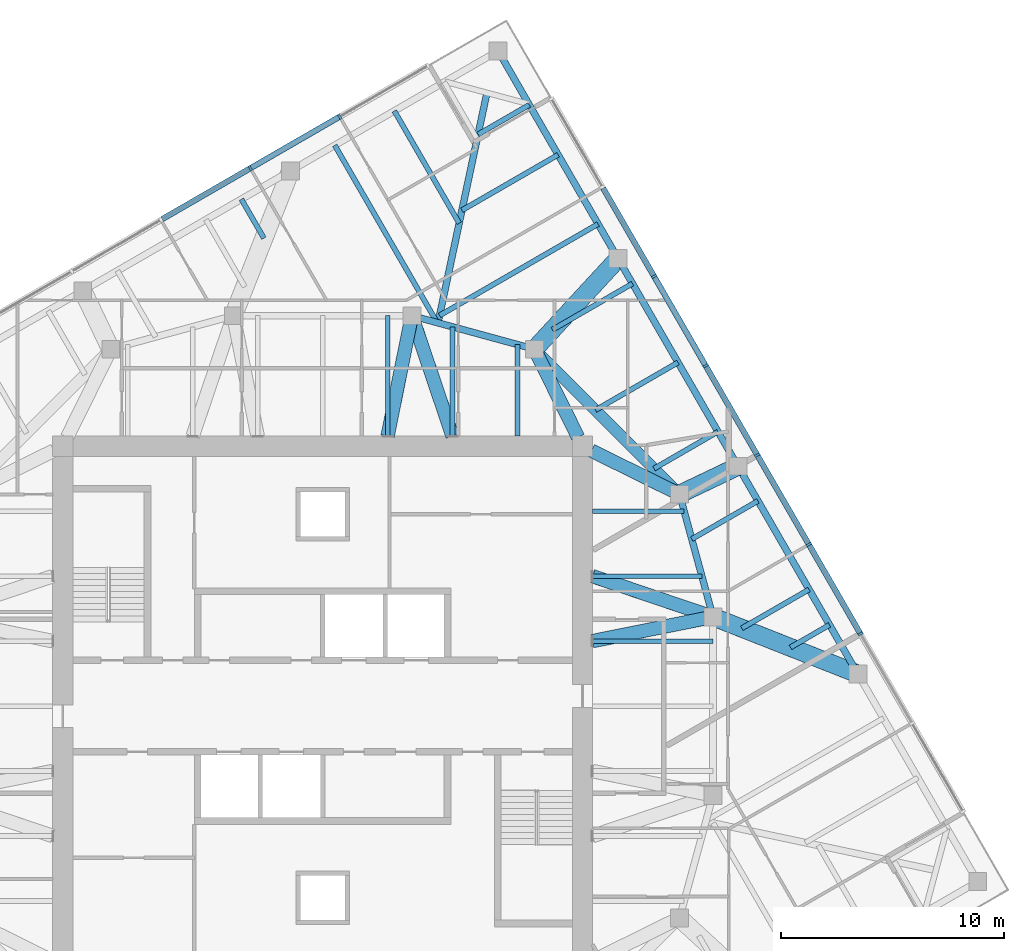
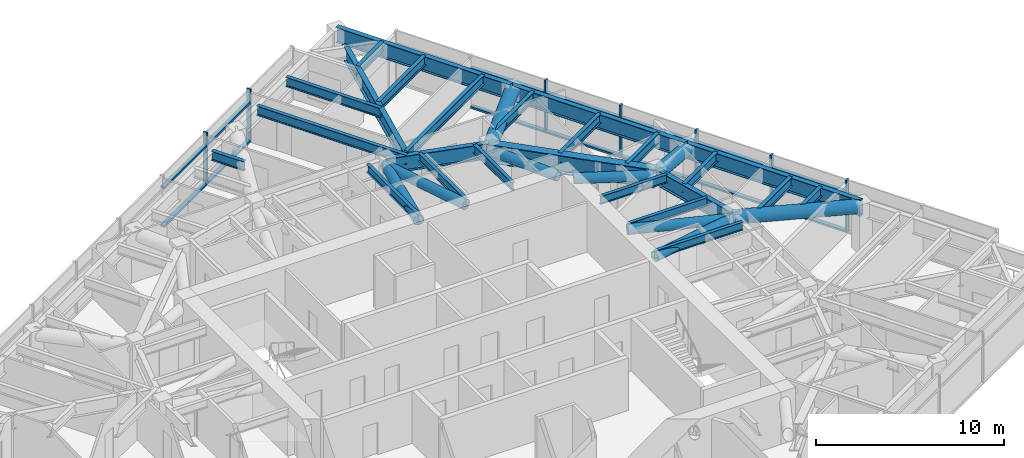
# One storey, part 6 of 16: 30 members, 25 beams, 2 elements without a shape of their own.
"""IFC4 building model written with IfcOpenShell, lengths in metres."""

from ifc_helpers import new_model, si_unit, direction, frame, origin, origin_2d, place, context, subcontext, project, spatial, rectangle, hollow_circle, i_section, extrude, material, material_profile, profile_set, type_object, element, aggregate, save


model = new_model("IFC4")

# Units and contexts
model_context = context("Model", 3, precision=1e-05, world=origin(), true_north=direction((0.0, 1.0)))
body_context = subcontext(model_context, "Body", "Model", "MODEL_VIEW")
ifc_project = project(units=[si_unit("LENGTHUNIT", "METRE"), si_unit("AREAUNIT", "SQUARE_METRE"), si_unit("VOLUMEUNIT", "CUBIC_METRE"), si_unit("PLANEANGLEUNIT", "RADIAN"), si_unit("MASSUNIT", "GRAM", prefix="KILO")], contexts=[model_context])

# Site, building, storey
site_placement = place(None, origin())
site = spatial("IfcSite", under=ifc_project, at=site_placement, CompositionType="ELEMENT")
building_placement = place(site_placement, origin())
building = spatial("IfcBuilding", under=site, at=building_placement, Name="Torsade Residences", CompositionType="ELEMENT")
storey_placement = place(building_placement, frame((0.0, 0.0, 232.0)))
storey = spatial("IfcBuildingStorey", under=building, at=storey_placement, Name="L64", CompositionType="ELEMENT", Elevation=232.0)

# Beam
ifc_material_1 = material(Name="Steel grade 300", Category="steel")
ifc_material_profile_1 = material_profile(ifc_material_1, i_section(OverallWidth=0.300048828125, OverallDepth=0.89990234375, WebThickness=0.011962890625, FlangeThickness=0.02490234375, at=origin_2d()), Name="900WB175")
ifc_profile_set_1 = profile_set([ifc_material_profile_1], Name="Steel grade 300")
beam_type_1 = type_object("IfcBeamType", Name="CORNER GIRDER 900WB175", PredefinedType="BEAM", material=ifc_profile_set_1)
beam_1_placement = place(storey_placement, frame((47.3662109375, 57.4912109375, 2.75), z_axis=(-0.20806427425, -0.978115155685, 0.0), x_axis=(0.978115155685, -0.20806427425, 0.0)))
element("IfcBeam", 1, at=beam_1_placement, inside=storey, type_object=beam_type_1, Name="Corner girder 09 L65", PredefinedType="BEAM", context=body_context, shape_type="SweptSolid", body=[
    extrude(i_section(OverallWidth=0.300048828125, OverallDepth=0.89990234375, WebThickness=0.011962890625, FlangeThickness=0.02490234375, at=origin_2d()), origin(), (0.0, 0.0, 1.0), 10.541748046875),
])

# Curtain wall, members
ifc_material_2 = material(Name="Aluminium and glass", Category="aluminium")
curtain_wall_type = type_object("IfcCurtainWallType", Name="FRITTED GLASS CURTAIN WALL HIGH ZONE", PredefinedType="NOTDEFINED", material=ifc_material_2)
curtain_wall_1_placement = place(storey_placement, origin())
curtain_wall_1 = element("IfcCurtainWall", 2, at=curtain_wall_1_placement, inside=storey, type_object=curtain_wall_type, Name="Curtain wall L64 face 4", PredefinedType="NOTDEFINED")
ifc_material_3 = material(Name="Aluminium mullion", Category="aluminium")
ifc_material_profile_2 = material_profile(ifc_material_3, rectangle(XDim=0.25, YDim=0.10009765625, at=origin_2d()), Name="HIGH ZONE CURTAIN WALL MULLION 250x100")
ifc_profile_set_2 = profile_set([ifc_material_profile_2], Name="Aluminium mullion")
member_type_1 = type_object("IfcMemberType", Name="HIGH ZONE CURTAIN WALL MULLION 250x100", PredefinedType="MULLION", material=ifc_profile_set_2)
member_1_placement = place(storey_placement, frame((64.110595703125, 33.2392578125, 0.0), z_axis=(0.0, 0.0, 1.0), x_axis=(-0.866025404186, -0.499999999305, 0.0)))
member_1 = element("IfcMember", 3, at=member_1_placement, type_object=member_type_1, Name="Mullion 3", PredefinedType="MULLION", context=body_context, shape_type="SweptSolid", body=[
    extrude(rectangle(XDim=0.25, YDim=0.10009765625, at=origin_2d()), origin(), (0.0, 0.0, 1.0), 3.39990234375),
])
member_2_placement = place(storey_placement, frame((61.798095703125, 37.24462890625, 0.0), z_axis=(0.0, 0.0, 1.0), x_axis=(-0.866025404186, -0.499999999305, 0.0)))
member_2 = element("IfcMember", 4, at=member_2_placement, type_object=member_type_1, Name="Mullion 4", PredefinedType="MULLION", context=body_context, shape_type="SweptSolid", body=[
    extrude(rectangle(XDim=0.25, YDim=0.10009765625, at=origin_2d()), origin(), (0.0, 0.0, 1.0), 3.39990234375),
])
member_3_placement = place(storey_placement, frame((59.485595703125, 41.25, 0.0), z_axis=(0.0, 0.0, 1.0), x_axis=(-0.866025404186, -0.499999999305, 0.0)))
member_3 = element("IfcMember", 5, at=member_3_placement, type_object=member_type_1, Name="Mullion 5", PredefinedType="MULLION", context=body_context, shape_type="SweptSolid", body=[
    extrude(rectangle(XDim=0.25, YDim=0.10009765625, at=origin_2d()), origin(), (0.0, 0.0, 1.0), 3.39990234375),
])
member_4_placement = place(storey_placement, frame((57.173095703125, 45.25537109375, 0.0), z_axis=(0.0, 0.0, 1.0), x_axis=(-0.866025404186, -0.499999999305, 0.0)))
member_4 = element("IfcMember", 6, at=member_4_placement, type_object=member_type_1, Name="Mullion 6", PredefinedType="MULLION", context=body_context, shape_type="SweptSolid", body=[
    extrude(rectangle(XDim=0.25, YDim=0.10009765625, at=origin_2d()), origin(), (0.0, 0.0, 1.0), 3.39990234375),
])
member_5_placement = place(storey_placement, frame((54.860595703125, 49.2607421875, 0.0), z_axis=(0.0, 0.0, 1.0), x_axis=(-0.866025404186, -0.499999999305, 0.0)))
member_5 = element("IfcMember", 7, at=member_5_placement, type_object=member_type_1, Name="Mullion 7", PredefinedType="MULLION", context=body_context, shape_type="SweptSolid", body=[
    extrude(rectangle(XDim=0.25, YDim=0.10009765625, at=origin_2d()), origin(), (0.0, 0.0, 1.0), 3.39990234375),
])

curtain_wall_2_placement = place(storey_placement, origin())
curtain_wall_2 = element("IfcCurtainWall", 8, at=curtain_wall_2_placement, inside=storey, type_object=curtain_wall_type, Name="Curtain wall L64 face 7", PredefinedType="NOTDEFINED")
member_6_placement = place(storey_placement, frame((40.76611328125, 56.423095703125, 0.0), z_axis=(0.0, 0.0, 1.0), x_axis=(0.499999999305, -0.866025404186, 0.0)))
member_6 = element("IfcMember", 9, at=member_6_placement, type_object=member_type_1, Name="Mullion 2", PredefinedType="MULLION", context=body_context, shape_type="SweptSolid", body=[
    extrude(rectangle(XDim=0.25, YDim=0.10009765625, at=origin_2d()), origin(), (0.0, 0.0, 1.0), 3.39990234375),
])
member_7_placement = place(storey_placement, frame((36.7607421875, 54.110595703125, 0.0), z_axis=(0.0, 0.0, 1.0), x_axis=(0.499999999305, -0.866025404186, 0.0)))
member_7 = element("IfcMember", 10, at=member_7_placement, type_object=member_type_1, Name="Mullion 3", PredefinedType="MULLION", context=body_context, shape_type="SweptSolid", body=[
    extrude(rectangle(XDim=0.25, YDim=0.10009765625, at=origin_2d()), origin(), (0.0, 0.0, 1.0), 3.39990234375),
])

# Member
ifc_material_4 = material(Name="Aluminium transom", Category="aluminium")
ifc_material_profile_3 = material_profile(ifc_material_4, rectangle(XDim=0.25, YDim=0.1201171875, at=origin_2d()), Name="HIGH ZONE CURTAIN WALL TRANSOM 250x120")
ifc_profile_set_3 = profile_set([ifc_material_profile_3], Name="Aluminium transom")
member_type_2 = type_object("IfcMemberType", Name="HIGH ZONE CURTAIN WALL TRANSOM 250x120", PredefinedType="USERDEFINED", material=ifc_profile_set_3)
member_8_placement = place(storey_placement, frame((64.085693359375, 33.282470703125, 0.06005859375), z_axis=(-0.500015112013, 0.866016678684, 0.0), x_axis=(-0.866016678684, -0.500015112013, 0.0)))
member_8 = element("IfcMember", 11, at=member_8_placement, type_object=member_type_2, Name="Transom 3.1", ObjectType="TRANSOM", PredefinedType="USERDEFINED", context=body_context, shape_type="SweptSolid", body=[
    extrude(rectangle(XDim=0.25, YDim=0.1201171875, at=origin_2d()), origin(), (0.0, 0.0, 1.0), 4.525146484375),
])

member_9_placement = place(storey_placement, frame((64.085693359375, 33.282470703125, 2.56005859375), z_axis=(-0.500015112013, 0.866016678684, 0.0), x_axis=(-0.866016678684, -0.500015112013, 0.0)))
member_9 = element("IfcMember", 12, at=member_9_placement, type_object=member_type_2, Name="Transom 3.2", ObjectType="TRANSOM", PredefinedType="USERDEFINED", context=body_context, shape_type="SweptSolid", body=[
    extrude(rectangle(XDim=0.25, YDim=0.1201171875, at=origin_2d()), origin(), (0.0, 0.0, 1.0), 4.525146484375),
])

member_10_placement = place(storey_placement, frame((61.773193359375, 37.287841796875, 0.06005859375), z_axis=(-0.500015112013, 0.866016678684, 0.0), x_axis=(-0.866016678684, -0.500015112013, 0.0)))
member_10 = element("IfcMember", 13, at=member_10_placement, type_object=member_type_2, Name="Transom 4.1", ObjectType="TRANSOM", PredefinedType="USERDEFINED", context=body_context, shape_type="SweptSolid", body=[
    extrude(rectangle(XDim=0.25, YDim=0.1201171875, at=origin_2d()), origin(), (0.0, 0.0, 1.0), 4.525146484375),
])

member_11_placement = place(storey_placement, frame((61.773193359375, 37.287841796875, 2.56005859375), z_axis=(-0.500015112013, 0.866016678684, 0.0), x_axis=(-0.866016678684, -0.500015112013, 0.0)))
member_11 = element("IfcMember", 14, at=member_11_placement, type_object=member_type_2, Name="Transom 4.2", ObjectType="TRANSOM", PredefinedType="USERDEFINED", context=body_context, shape_type="SweptSolid", body=[
    extrude(rectangle(XDim=0.25, YDim=0.1201171875, at=origin_2d()), origin(), (0.0, 0.0, 1.0), 4.525146484375),
])

member_12_placement = place(storey_placement, frame((59.460693359375, 41.293212890625, 0.06005859375), z_axis=(-0.500015112013, 0.866016678684, 0.0), x_axis=(-0.866016678684, -0.500015112013, 0.0)))
member_12 = element("IfcMember", 15, at=member_12_placement, type_object=member_type_2, Name="Transom 5.1", ObjectType="TRANSOM", PredefinedType="USERDEFINED", context=body_context, shape_type="SweptSolid", body=[
    extrude(rectangle(XDim=0.25, YDim=0.1201171875, at=origin_2d()), origin(), (0.0, 0.0, 1.0), 4.525146484375),
])

member_13_placement = place(storey_placement, frame((59.460693359375, 41.293212890625, 2.56005859375), z_axis=(-0.500015112013, 0.866016678684, 0.0), x_axis=(-0.866016678684, -0.500015112013, 0.0)))
member_13 = element("IfcMember", 16, at=member_13_placement, type_object=member_type_2, Name="Transom 5.2", ObjectType="TRANSOM", PredefinedType="USERDEFINED", context=body_context, shape_type="SweptSolid", body=[
    extrude(rectangle(XDim=0.25, YDim=0.1201171875, at=origin_2d()), origin(), (0.0, 0.0, 1.0), 4.525146484375),
])

member_14_placement = place(storey_placement, frame((57.148193359375, 45.298583984375, 0.06005859375), z_axis=(-0.500015112013, 0.866016678684, 0.0), x_axis=(-0.866016678684, -0.500015112013, 0.0)))
member_14 = element("IfcMember", 17, at=member_14_placement, type_object=member_type_2, Name="Transom 6.1", ObjectType="TRANSOM", PredefinedType="USERDEFINED", context=body_context, shape_type="SweptSolid", body=[
    extrude(rectangle(XDim=0.25, YDim=0.1201171875, at=origin_2d()), origin(), (0.0, 0.0, 1.0), 4.525146484375),
])

member_15_placement = place(storey_placement, frame((57.148193359375, 45.298583984375, 2.56005859375), z_axis=(-0.500015112013, 0.866016678684, 0.0), x_axis=(-0.866016678684, -0.500015112013, 0.0)))
member_15 = element("IfcMember", 18, at=member_15_placement, type_object=member_type_2, Name="Transom 6.2", ObjectType="TRANSOM", PredefinedType="USERDEFINED", context=body_context, shape_type="SweptSolid", body=[
    extrude(rectangle(XDim=0.25, YDim=0.1201171875, at=origin_2d()), origin(), (0.0, 0.0, 1.0), 4.525146484375),
])

member_16_placement = place(storey_placement, frame((54.835693359375, 49.303955078125, 0.06005859375), z_axis=(-0.500015112013, 0.866016678684, 0.0), x_axis=(-0.866016678684, -0.500015112013, 0.0)))
member_16 = element("IfcMember", 19, at=member_16_placement, type_object=member_type_2, Name="Transom 7.1", ObjectType="TRANSOM", PredefinedType="USERDEFINED", context=body_context, shape_type="SweptSolid", body=[
    extrude(rectangle(XDim=0.25, YDim=0.1201171875, at=origin_2d()), origin(), (0.0, 0.0, 1.0), 4.525146484375),
])

member_17_placement = place(storey_placement, frame((54.835693359375, 49.303955078125, 2.56005859375), z_axis=(-0.500015112013, 0.866016678684, 0.0), x_axis=(-0.866016678684, -0.500015112013, 0.0)))
member_17 = element("IfcMember", 20, at=member_17_placement, type_object=member_type_2, Name="Transom 7.2", ObjectType="TRANSOM", PredefinedType="USERDEFINED", context=body_context, shape_type="SweptSolid", body=[
    extrude(rectangle(XDim=0.25, YDim=0.1201171875, at=origin_2d()), origin(), (0.0, 0.0, 1.0), 4.525146484375),
])

aggregate(curtain_wall_1, [member_1, member_2, member_3, member_4, member_5, member_8, member_9, member_10, member_11, member_12, member_13, member_14, member_15, member_16, member_17])

member_18_placement = place(storey_placement, frame((40.722900390625, 56.398193359375, 0.06005859375), z_axis=(-0.866016678684, -0.500015112013, 0.0), x_axis=(0.500015112013, -0.866016678684, 0.0)))
member_18 = element("IfcMember", 21, at=member_18_placement, type_object=member_type_2, Name="Transom 2.1", ObjectType="TRANSOM", PredefinedType="USERDEFINED", context=body_context, shape_type="SweptSolid", body=[
    extrude(rectangle(XDim=0.25, YDim=0.1201171875, at=origin_2d()), origin(), (0.0, 0.0, 1.0), 4.525146484375),
])

member_19_placement = place(storey_placement, frame((40.722900390625, 56.398193359375, 2.56005859375), z_axis=(-0.866016678684, -0.500015112013, 0.0), x_axis=(0.500015112013, -0.866016678684, 0.0)))
member_19 = element("IfcMember", 22, at=member_19_placement, type_object=member_type_2, Name="Transom 2.2", ObjectType="TRANSOM", PredefinedType="USERDEFINED", context=body_context, shape_type="SweptSolid", body=[
    extrude(rectangle(XDim=0.25, YDim=0.1201171875, at=origin_2d()), origin(), (0.0, 0.0, 1.0), 4.525146484375),
])

member_20_placement = place(storey_placement, frame((36.717529296875, 54.085693359375, 0.06005859375), z_axis=(-0.866016678684, -0.500015112013, 0.0), x_axis=(0.500015112013, -0.866016678684, 0.0)))
member_20 = element("IfcMember", 23, at=member_20_placement, type_object=member_type_2, Name="Transom 3.1", ObjectType="TRANSOM", PredefinedType="USERDEFINED", context=body_context, shape_type="SweptSolid", body=[
    extrude(rectangle(XDim=0.25, YDim=0.1201171875, at=origin_2d()), origin(), (0.0, 0.0, 1.0), 4.525146484375),
])

member_21_placement = place(storey_placement, frame((36.717529296875, 54.085693359375, 2.56005859375), z_axis=(-0.866016678684, -0.500015112013, 0.0), x_axis=(0.500015112013, -0.866016678684, 0.0)))
member_21 = element("IfcMember", 24, at=member_21_placement, type_object=member_type_2, Name="Transom 3.2", ObjectType="TRANSOM", PredefinedType="USERDEFINED", context=body_context, shape_type="SweptSolid", body=[
    extrude(rectangle(XDim=0.25, YDim=0.1201171875, at=origin_2d()), origin(), (0.0, 0.0, 1.0), 4.525146484375),
])

aggregate(curtain_wall_2, [member_6, member_7, member_18, member_19, member_20, member_21])

# Beams
ifc_material_5 = material(Name="Steel grade 300", Category="steel")
ifc_material_profile_4 = material_profile(ifc_material_5, i_section(OverallWidth=0.208984375, OverallDepth=0.528076171875, WebThickness=0.009521484375, FlangeThickness=0.01318359375, FilletRadius=0.013916015625, at=origin_2d()), Name="530UB82.0")
ifc_profile_set_4 = profile_set([ifc_material_profile_4], Name="Steel grade 300")
beam_type_2 = type_object("IfcBeamType", Name="INNER FLOOR BEAM 530UB82.0", PredefinedType="JOIST", material=ifc_profile_set_4)
beam_2_placement = place(storey_placement, frame((42.91259765625, 42.10009765625, 2.93603515625), z_axis=(0.0, 1.0, 0.0), x_axis=(-1.0, 0.0, 0.0)))
element("IfcBeam", 25, at=beam_2_placement, inside=storey, type_object=beam_type_2, Name="Inner floor beam IN05 L65", PredefinedType="JOIST", context=body_context, shape_type="SweptSolid", body=[
    extrude(i_section(OverallWidth=0.208984375, OverallDepth=0.528076171875, WebThickness=0.009521484375, FlangeThickness=0.01318359375, FilletRadius=0.013916015625, at=origin_2d()), origin(), (0.0, 0.0, 1.0), 5.39990234375),
])
beam_3_placement = place(storey_placement, frame((45.824951171875, 42.10009765625, 2.93603515625), z_axis=(0.0, 1.0, 0.0), x_axis=(-1.0, 0.0, 0.0)))
element("IfcBeam", 26, at=beam_3_placement, inside=storey, type_object=beam_type_2, Name="Inner floor beam IN06 L65", PredefinedType="JOIST", context=body_context, shape_type="SweptSolid", body=[
    extrude(i_section(OverallWidth=0.208984375, OverallDepth=0.528076171875, WebThickness=0.009521484375, FlangeThickness=0.01318359375, FilletRadius=0.013916015625, at=origin_2d()), origin(), (0.0, 0.0, 1.0), 4.902099609375),
])
beam_4_placement = place(storey_placement, frame((48.737548828125, 42.10009765625, 2.93603515625), z_axis=(0.0, 1.0, 0.0), x_axis=(-1.0, 0.0, 0.0)))
element("IfcBeam", 27, at=beam_4_placement, inside=storey, type_object=beam_type_2, Name="Inner floor beam IN07 L65", PredefinedType="JOIST", context=body_context, shape_type="SweptSolid", body=[
    extrude(i_section(OverallWidth=0.208984375, OverallDepth=0.528076171875, WebThickness=0.009521484375, FlangeThickness=0.01318359375, FilletRadius=0.013916015625, at=origin_2d()), origin(), (0.0, 0.0, 1.0), 4.10791015625),
])
beam_5_placement = place(storey_placement, frame((52.10009765625, 32.91259765625, 2.93603515625), z_axis=(1.0, 0.0, 0.0), x_axis=(0.0, 1.0, 0.0)))
element("IfcBeam", 28, at=beam_5_placement, inside=storey, type_object=beam_type_2, Name="Inner floor beam IE05 L65", PredefinedType="JOIST", context=body_context, shape_type="SweptSolid", body=[
    extrude(i_section(OverallWidth=0.208984375, OverallDepth=0.528076171875, WebThickness=0.009521484375, FlangeThickness=0.01318359375, FilletRadius=0.013916015625, at=origin_2d()), origin(), (0.0, 0.0, 1.0), 5.39990234375),
])
beam_6_placement = place(storey_placement, frame((52.10009765625, 35.824951171875, 2.93603515625), z_axis=(1.0, 0.0, 0.0), x_axis=(0.0, 1.0, 0.0)))
element("IfcBeam", 29, at=beam_6_placement, inside=storey, type_object=beam_type_2, Name="Inner floor beam IE06 L65", PredefinedType="JOIST", context=body_context, shape_type="SweptSolid", body=[
    extrude(i_section(OverallWidth=0.208984375, OverallDepth=0.528076171875, WebThickness=0.009521484375, FlangeThickness=0.01318359375, FilletRadius=0.013916015625, at=origin_2d()), origin(), (0.0, 0.0, 1.0), 4.902099609375),
])
beam_7_placement = place(storey_placement, frame((52.10009765625, 38.737548828125, 2.93603515625), z_axis=(1.0, 0.0, 0.0), x_axis=(0.0, 1.0, 0.0)))
element("IfcBeam", 30, at=beam_7_placement, inside=storey, type_object=beam_type_2, Name="Inner floor beam IE07 L65", PredefinedType="JOIST", context=body_context, shape_type="SweptSolid", body=[
    extrude(i_section(OverallWidth=0.208984375, OverallDepth=0.528076171875, WebThickness=0.009521484375, FlangeThickness=0.01318359375, FilletRadius=0.013916015625, at=origin_2d()), origin(), (0.0, 0.0, 1.0), 4.10791015625),
])
ifc_material_6 = material(Name="Steel grade 300", Category="steel")
ifc_material_profile_5 = material_profile(ifc_material_6, i_section(OverallWidth=0.5, OverallDepth=1.199951171875, WebThickness=0.01611328125, FlangeThickness=0.0400390625, at=origin_2d()), Name="1200WB455")
ifc_profile_set_5 = profile_set([ifc_material_profile_5], Name="Steel grade 300")
beam_type_3 = type_object("IfcBeamType", Name="RING CORNER GIRDER 1200WB455", PredefinedType="BEAM", material=ifc_profile_set_5)
beam_8_placement = place(storey_placement, frame((56.0, 39.5, 2.60009765625), z_axis=(-0.707106781187, 0.707106781187, 0.0), x_axis=(-0.707106781187, -0.707106781187, 0.0)))
element("IfcBeam", 31, at=beam_8_placement, inside=storey, type_object=beam_type_3, Name="Ring girder IR03 L65", PredefinedType="BEAM", context=body_context, shape_type="SweptSolid", body=[
    extrude(i_section(OverallWidth=0.5, OverallDepth=1.199951171875, WebThickness=0.01611328125, FlangeThickness=0.0400390625, at=origin_2d()), origin(), (0.0, 0.0, 1.0), 9.1923828125),
])
ifc_material_7 = material(Name="Steel grade 300", Category="steel")
ifc_material_profile_6 = material_profile(ifc_material_7, i_section(OverallWidth=0.300048828125, OverallDepth=1.0, WebThickness=0.01611328125, FlangeThickness=0.028076171875, at=origin_2d()), Name="1000WB215")
ifc_profile_set_6 = profile_set([ifc_material_profile_6], Name="Steel grade 300")
beam_type_4 = type_object("IfcBeamType", Name="RING GIRDER 1000WB215", PredefinedType="BEAM", material=ifc_profile_set_6)
for number, where, z_axis, x_axis, name in (
    (32, (57.5, 34.0, 2.699951171875), (-0.263117405792, 0.964763821238, 0.0), (-0.964763821238, -0.263117405792, 0.0), "Ring girder IR02 L65"),
    (33, (49.5, 46.0, 2.699951171875), (-0.964763821238, 0.263117405792, 0.0), (-0.263117405792, -0.964763821238, 0.0), "Ring girder IR04 L65"),
):
    element("IfcBeam", number, at=place(storey_placement, frame(where, z_axis=z_axis, x_axis=x_axis)), inside=storey, type_object=beam_type_4, Name=name, PredefinedType="BEAM", context=body_context, shape_type="SweptSolid", body=[
        extrude(i_section(OverallWidth=0.300048828125, OverallDepth=1.0, WebThickness=0.01611328125, FlangeThickness=0.028076171875, at=origin_2d()), origin(), (0.0, 0.0, 1.0), 5.700927734375),
    ])
ifc_material_8 = material(Name="Steel grade 300", Category="steel")
ifc_material_profile_7 = material_profile(ifc_material_8, i_section(OverallWidth=0.22900390625, OverallDepth=0.612060546875, WebThickness=0.011962890625, FlangeThickness=0.01953125, FilletRadius=0.013916015625, at=origin_2d()), Name="610UB125")
ifc_profile_set_7 = profile_set([ifc_material_profile_7], Name="Steel grade 300")
beam_type_5 = type_object("IfcBeamType", Name="SECONDARY BEAM 610UB125", PredefinedType="JOIST", material=ifc_profile_set_7)
beam_9_placement = place(storey_placement, frame((62.7236328125, 33.641357421875, 2.89404296875), z_axis=(-0.865996458488, -0.500050131373, 0.0), x_axis=(0.500050131373, -0.865996458488, 0.0)))
element("IfcBeam", 34, at=beam_9_placement, inside=storey, type_object=beam_type_5, Name="Floor beam FE04 L65", PredefinedType="JOIST", context=body_context, shape_type="SweptSolid", body=[
    extrude(i_section(OverallWidth=0.22900390625, OverallDepth=0.612060546875, WebThickness=0.011962890625, FlangeThickness=0.01953125, FilletRadius=0.013916015625, at=origin_2d()), origin(), (0.0, 0.0, 1.0), 2.020751953125),
])
beam_10_placement = place(storey_placement, frame((61.80712890625, 35.22900390625, 2.89404296875), z_axis=(-0.866040668696, -0.499973559465, 0.0), x_axis=(0.499973559465, -0.866040668696, 0.0)))
element("IfcBeam", 35, at=beam_10_placement, inside=storey, type_object=beam_type_5, Name="Floor beam FE05 L65", PredefinedType="JOIST", context=body_context, shape_type="SweptSolid", body=[
    extrude(i_section(OverallWidth=0.22900390625, OverallDepth=0.612060546875, WebThickness=0.011962890625, FlangeThickness=0.01953125, FilletRadius=0.013916015625, at=origin_2d()), origin(), (0.0, 0.0, 1.0), 3.478759765625),
])
beam_11_placement = place(storey_placement, frame((59.515380859375, 39.198486328125, 2.89404296875), z_axis=(-0.866001587311, -0.500041249073, 0.0), x_axis=(0.500041249073, -0.866001587311, 0.0)))
element("IfcBeam", 36, at=beam_11_placement, inside=storey, type_object=beam_type_5, Name="Floor beam FE06 L65", PredefinedType="JOIST", context=body_context, shape_type="SweptSolid", body=[
    extrude(i_section(OverallWidth=0.22900390625, OverallDepth=0.612060546875, WebThickness=0.011962890625, FlangeThickness=0.01953125, FilletRadius=0.013916015625, at=origin_2d()), origin(), (0.0, 0.0, 1.0), 3.425048828125),
])
beam_12_placement = place(storey_placement, frame((57.7236328125, 42.301513671875, 2.89404296875), z_axis=(-0.866039541186, -0.499975512502, 0.0), x_axis=(0.499975512502, -0.866039541186, 0.0)))
element("IfcBeam", 37, at=beam_12_placement, inside=storey, type_object=beam_type_5, Name="Floor beam FE07 L65", PredefinedType="JOIST", context=body_context, shape_type="SweptSolid", body=[
    extrude(i_section(OverallWidth=0.22900390625, OverallDepth=0.612060546875, WebThickness=0.011962890625, FlangeThickness=0.01953125, FilletRadius=0.013916015625, at=origin_2d()), origin(), (0.0, 0.0, 1.0), 3.312744140625),
])
beam_13_placement = place(storey_placement, frame((55.93212890625, 45.40478515625, 2.89404296875), z_axis=(-0.866022880939, -0.500004369671, 0.0), x_axis=(0.500004369671, -0.866022880939, 0.0)))
element("IfcBeam", 38, at=beam_13_placement, inside=storey, type_object=beam_type_5, Name="Floor beam FE08 L65", PredefinedType="JOIST", context=body_context, shape_type="SweptSolid", body=[
    extrude(i_section(OverallWidth=0.22900390625, OverallDepth=0.612060546875, WebThickness=0.011962890625, FlangeThickness=0.01953125, FilletRadius=0.013916015625, at=origin_2d()), origin(), (0.0, 0.0, 1.0), 4.27294921875),
])
beam_14_placement = place(storey_placement, frame((53.890380859375, 48.941162109375, 2.89404296875), z_axis=(-0.866037435306, -0.499979160215, 0.0), x_axis=(0.499979160215, -0.866037435306, 0.0)))
element("IfcBeam", 39, at=beam_14_placement, inside=storey, type_object=beam_type_5, Name="Floor beam FE09 L65", PredefinedType="JOIST", context=body_context, shape_type="SweptSolid", body=[
    extrude(i_section(OverallWidth=0.22900390625, OverallDepth=0.612060546875, WebThickness=0.011962890625, FlangeThickness=0.01953125, FilletRadius=0.013916015625, at=origin_2d()), origin(), (0.0, 0.0, 1.0), 4.143798828125),
])
beam_15_placement = place(storey_placement, frame((52.3486328125, 51.611328125, 2.89404296875), z_axis=(-0.866030002502, -0.499992034702, 0.0), x_axis=(0.499992034702, -0.866030002502, 0.0)))
element("IfcBeam", 40, at=beam_15_placement, inside=storey, type_object=beam_type_5, Name="Floor beam FE10 L65", PredefinedType="JOIST", context=body_context, shape_type="SweptSolid", body=[
    extrude(i_section(OverallWidth=0.22900390625, OverallDepth=0.612060546875, WebThickness=0.011962890625, FlangeThickness=0.01953125, FilletRadius=0.013916015625, at=origin_2d()), origin(), (0.0, 0.0, 1.0), 8.205322265625),
])
beam_16_placement = place(storey_placement, frame((50.55712890625, 54.714599609375, 2.89404296875), z_axis=(-0.866043477274, -0.499968694491, 0.0), x_axis=(0.499968694491, -0.866043477274, 0.0)))
element("IfcBeam", 41, at=beam_16_placement, inside=storey, type_object=beam_type_5, Name="Floor beam FE11 L65", PredefinedType="JOIST", context=body_context, shape_type="SweptSolid", body=[
    extrude(i_section(OverallWidth=0.22900390625, OverallDepth=0.612060546875, WebThickness=0.011962890625, FlangeThickness=0.01953125, FilletRadius=0.013916015625, at=origin_2d()), origin(), (0.0, 0.0, 1.0), 4.977783203125),
])
beam_17_placement = place(storey_placement, frame((49.265380859375, 56.951904296875, 2.89404296875), z_axis=(-0.866041431316, -0.499972238474, 0.0), x_axis=(0.499972238474, -0.866041431316, 0.0)))
element("IfcBeam", 42, at=beam_17_placement, inside=storey, type_object=beam_type_5, Name="Floor beam FE12 L65", PredefinedType="JOIST", context=body_context, shape_type="SweptSolid", body=[
    extrude(i_section(OverallWidth=0.22900390625, OverallDepth=0.612060546875, WebThickness=0.011962890625, FlangeThickness=0.01953125, FilletRadius=0.013916015625, at=origin_2d()), origin(), (0.0, 0.0, 1.0), 2.651123046875),
])
beam_18_placement = place(storey_placement, frame((43.214599609375, 56.68212890625, 2.89404296875), z_axis=(0.499990133118, -0.866031100357, 0.0), x_axis=(0.866031100357, 0.499990133118, 0.0)))
element("IfcBeam", 43, at=beam_18_placement, inside=storey, type_object=beam_type_5, Name="Floor beam FN02 L65", PredefinedType="JOIST", context=body_context, shape_type="SweptSolid", body=[
    extrude(i_section(OverallWidth=0.22900390625, OverallDepth=0.612060546875, WebThickness=0.011962890625, FlangeThickness=0.01953125, FilletRadius=0.013916015625, at=origin_2d()), origin(), (0.0, 0.0, 1.0), 5.81591796875),
])
beam_19_placement = place(storey_placement, frame((40.54443359375, 55.140380859375, 2.89404296875), z_axis=(0.500006393711, -0.866021712342, 0.0), x_axis=(0.866021712342, 0.500006393711, 0.0)))
element("IfcBeam", 44, at=beam_19_placement, inside=storey, type_object=beam_type_5, Name="Floor beam FN03 L65", PredefinedType="JOIST", context=body_context, shape_type="SweptSolid", body=[
    extrude(i_section(OverallWidth=0.22900390625, OverallDepth=0.612060546875, WebThickness=0.011962890625, FlangeThickness=0.01953125, FilletRadius=0.013916015625, at=origin_2d()), origin(), (0.0, 0.0, 1.0), 9.1796875),
])
beam_20_placement = place(storey_placement, frame((36.358642578125, 52.7236328125, 2.89404296875), z_axis=(0.500050131373, -0.865996458488, 0.0), x_axis=(0.865996458488, 0.500050131373, 0.0)))
element("IfcBeam", 45, at=beam_20_placement, inside=storey, type_object=beam_type_5, Name="Floor beam FN04 L65", PredefinedType="JOIST", context=body_context, shape_type="SweptSolid", body=[
    extrude(i_section(OverallWidth=0.22900390625, OverallDepth=0.612060546875, WebThickness=0.011962890625, FlangeThickness=0.01953125, FilletRadius=0.013916015625, at=origin_2d()), origin(), (0.0, 0.0, 1.0), 2.020751953125),
])

# Members
ifc_material_9 = material(Name="Steel grade 450", Category="steel")
ifc_material_profile_8 = material_profile(ifc_material_9, hollow_circle(Radius=0.304931640625, WallThickness=0.01611328125, at=origin_2d()), Name="610.0x16.0CHS")
ifc_profile_set_8 = profile_set([ifc_material_profile_8], Name="Steel grade 450")
member_type_3 = type_object("IfcMemberType", Name="TRANSFER FLOOR BRACE 610.0x16.0CHS", PredefinedType="BRACE", material=ifc_profile_set_8)
member_22_placement = place(storey_placement, frame((57.5, 34.0, 2.699951171875), z_axis=(-0.980201418973, -0.197387517864, 0.015599552377), x_axis=(0.197411538983, -0.980320704809, 0.0)))
element("IfcMember", 46, at=member_22_placement, inside=storey, type_object=member_type_3, Name="Transfer floor brace TT7 bottom IR02IE05", PredefinedType="BRACE", context=body_context, shape_type="SweptSolid", body=[
    extrude(hollow_circle(Radius=0.304931640625, WallThickness=0.01611328125, at=origin_2d()), origin(), (0.0, 0.0, 1.0), 5.509033203125),
])
member_23_placement = place(storey_placement, frame((57.5, 34.0, 2.699951171875), z_axis=(-0.947252495944, 0.320133484365, 0.01507518214), x_axis=(-0.320169867513, -0.947360151124, 0.0)))
element("IfcMember", 47, at=member_23_placement, inside=storey, type_object=member_type_3, Name="Transfer floor brace TT7 bottom IR02IE06", PredefinedType="BRACE", context=body_context, shape_type="SweptSolid", body=[
    extrude(hollow_circle(Radius=0.304931640625, WallThickness=0.01611328125, at=origin_2d()), origin(), (0.0, 0.0, 1.0), 5.70068359375),
])
for number, where, z_axis, x_axis, name in (
    (48, (56.0, 39.5, 2.699951171875), (-0.896469701914, 0.443105036702, 0.0), (-0.443105036702, -0.896469701914, 0.0), "Transfer floor brace TT7 bottom IR03C"),
    (49, (49.5, 46.0, 2.699951171875), (0.443105036702, -0.896469701914, 0.0), (0.896469701914, 0.443105036702, 0.0), "Transfer floor brace TT7 bottom IR04C"),
):
    element("IfcMember", number, at=place(storey_placement, frame(where, z_axis=z_axis, x_axis=x_axis)), inside=storey, type_object=member_type_3, Name=name, PredefinedType="BRACE", context=body_context, shape_type="SweptSolid", body=[
        extrude(hollow_circle(Radius=0.304931640625, WallThickness=0.01611328125, at=origin_2d()), origin(), (0.0, 0.0, 1.0), 4.40234375),
    ])
member_24_placement = place(storey_placement, frame((44.0, 47.5, 2.699951171875), z_axis=(-0.197387517864, -0.980201418973, 0.015599552377), x_axis=(0.980320704809, -0.197411538983, 0.0)))
element("IfcMember", 50, at=member_24_placement, inside=storey, type_object=member_type_3, Name="Transfer floor brace TT7 bottom IR05IN05", PredefinedType="BRACE", context=body_context, shape_type="SweptSolid", body=[
    extrude(hollow_circle(Radius=0.304931640625, WallThickness=0.01611328125, at=origin_2d()), origin(), (0.0, 0.0, 1.0), 5.509033203125),
])
member_25_placement = place(storey_placement, frame((44.0, 47.5, 2.699951171875), z_axis=(0.320133484365, -0.947252495944, 0.01507518214), x_axis=(0.947360151124, 0.320169867513, 0.0)))
element("IfcMember", 51, at=member_25_placement, inside=storey, type_object=member_type_3, Name="Transfer floor brace TT7 bottom IR05IN06", PredefinedType="BRACE", context=body_context, shape_type="SweptSolid", body=[
    extrude(hollow_circle(Radius=0.304931640625, WallThickness=0.01611328125, at=origin_2d()), origin(), (0.0, 0.0, 1.0), 5.70068359375),
])
ifc_material_10 = material(Name="Steel grade 450", Category="steel")
ifc_material_profile_9 = material_profile(ifc_material_10, hollow_circle(Radius=0.406494140625, WallThickness=0.02490234375, at=origin_2d()), Name="813.0x25.0CHS")
ifc_profile_set_9 = profile_set([ifc_material_profile_9], Name="Steel grade 450")
member_type_4 = type_object("IfcMemberType", Name="TRANSFER FLOOR STRUT 813.0x25.0CHS", PredefinedType="STRUT", material=ifc_profile_set_9)
member_26_placement = place(storey_placement, frame((63.99462890625, 31.440185546875, 2.798583984375), z_axis=(-0.930343687176, 0.366688728668, 0.0), x_axis=(-0.366688728668, -0.930343687176, 0.0)))
element("IfcMember", 52, at=member_26_placement, inside=storey, type_object=member_type_4, Name="Transfer floor strut TT7 bottom 06IR02", PredefinedType="STRUT", context=body_context, shape_type="SweptSolid", body=[
    extrude(hollow_circle(Radius=0.406494140625, WallThickness=0.02490234375, at=origin_2d()), origin(), (0.0, 0.0, 1.0), 6.98095703125),
])
member_27_placement = place(storey_placement, frame((58.61962890625, 40.75, 2.798583984375), z_axis=(-0.902518189348, -0.430651736204, 0.0), x_axis=(0.430651736204, -0.902518189348, 0.0)))
element("IfcMember", 53, at=member_27_placement, inside=storey, type_object=member_type_4, Name="Transfer floor strut TT7 bottom 07IR03", PredefinedType="STRUT", context=body_context, shape_type="SweptSolid", body=[
    extrude(hollow_circle(Radius=0.406494140625, WallThickness=0.02490234375, at=origin_2d()), origin(), (0.0, 0.0, 1.0), 2.902587890625),
])
member_28_placement = place(storey_placement, frame((53.24462890625, 50.059814453125, 2.798583984375), z_axis=(-0.67799731791, -0.735064376029, 0.0), x_axis=(0.735064376029, -0.67799731791, 0.0)))
element("IfcMember", 54, at=member_28_placement, inside=storey, type_object=member_type_4, Name="Transfer floor strut TT7 bottom 08IR04", PredefinedType="STRUT", context=body_context, shape_type="SweptSolid", body=[
    extrude(hollow_circle(Radius=0.406494140625, WallThickness=0.02490234375, at=origin_2d()), origin(), (0.0, 0.0, 1.0), 5.523193359375),
])

# Beams
ifc_material_11 = material(Name="Steel grade 300", Category="steel")
ifc_material_profile_10 = material_profile(ifc_material_11, i_section(OverallWidth=0.300048828125, OverallDepth=1.0, WebThickness=0.01611328125, FlangeThickness=0.028076171875, at=origin_2d()), Name="1000WB215")
ifc_profile_set_10 = profile_set([ifc_material_profile_10], Name="Steel grade 300")
beam_type_6 = type_object("IfcBeamType", Name="TRANSFER TRUSS CHORD 1000WB215", PredefinedType="USERDEFINED", material=ifc_profile_set_10)
for number, where, z_axis, x_axis, name in (
    (55, (63.99462890625, 31.440185546875, 2.699951171875), (-0.499998333915, 0.866026365697, 0.0), (-0.866026365697, -0.499998333915, 0.0), "Transfer truss TT7 bottom chord 06"),
    (56, (58.61962890625, 40.75, 2.699951171875), (-0.499998333915, 0.866026365697, 0.0), (-0.866026365697, -0.499998333915, 0.0), "Transfer truss TT7 bottom chord 07"),
    (57, (53.24462890625, 50.059814453125, 2.699951171875), (-0.499998333915, 0.866026365697, 0.0), (-0.866026365697, -0.499998333915, 0.0), "Transfer truss TT7 bottom chord 08"),
):
    element("IfcBeam", number, at=place(storey_placement, frame(where, z_axis=z_axis, x_axis=x_axis)), inside=storey, type_object=beam_type_6, Name=name, ObjectType="TRANSFER TRUSS CHORD", PredefinedType="USERDEFINED", context=body_context, shape_type="SweptSolid", body=[
        extrude(i_section(OverallWidth=0.300048828125, OverallDepth=1.0, WebThickness=0.01611328125, FlangeThickness=0.028076171875, at=origin_2d()), origin(), (0.0, 0.0, 1.0), 10.75),
    ])

save(model, "model.ifc")
